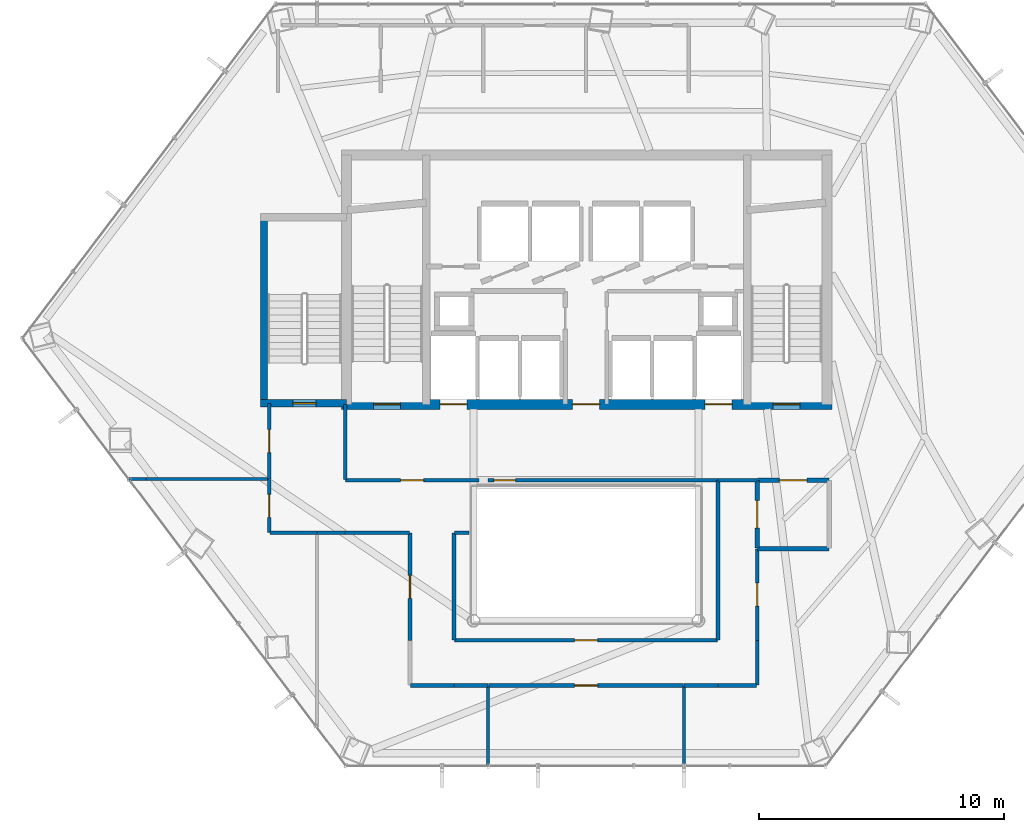
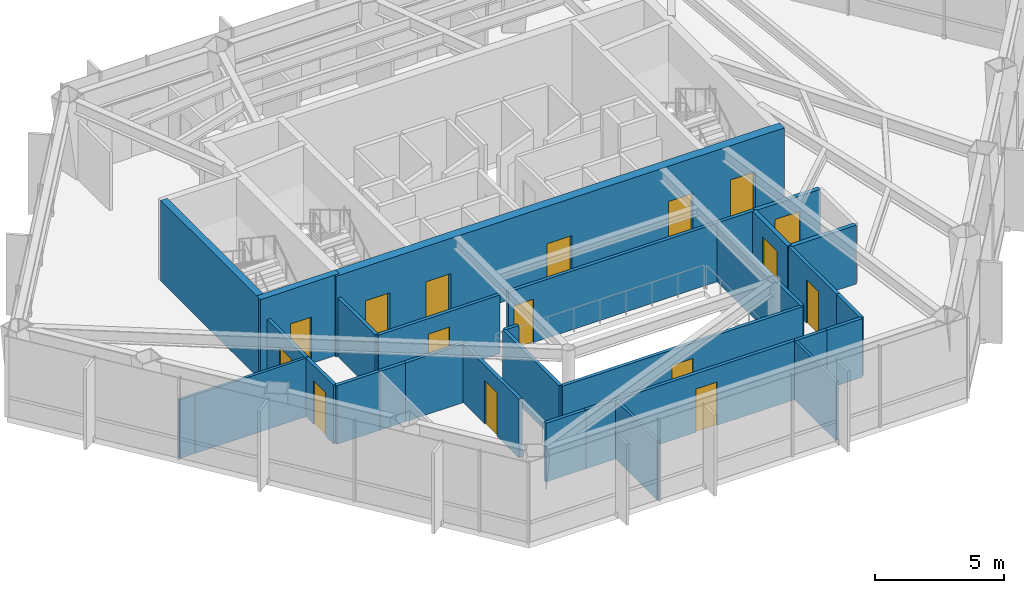
# One storey, part 23 of 26: 31 walls, 16 doors, 16 openings.
"""IFC4 building model written with IfcOpenShell, lengths in metres."""

from ifc_helpers import new_model, si_unit, direction, frame, frame_2d, origin, place, context, subcontext, project, spatial, rectangle, extrude, material, layer, layer_set, type_object, element, fill, save


model = new_model("IFC4")

# Units and contexts
model_context = context("Model", 3, precision=1e-05, world=origin(), true_north=direction((0.0, 1.0)))
body_context = subcontext(model_context, "Body", "Model", "MODEL_VIEW")
ifc_project = project(units=[si_unit("LENGTHUNIT", "METRE"), si_unit("AREAUNIT", "SQUARE_METRE"), si_unit("VOLUMEUNIT", "CUBIC_METRE"), si_unit("PLANEANGLEUNIT", "RADIAN"), si_unit("MASSUNIT", "GRAM", prefix="KILO")], contexts=[model_context])

# Site, building, storey
site_placement = place(None, origin())
site = spatial("IfcSite", under=ifc_project, at=site_placement, CompositionType="ELEMENT")
building_placement = place(site_placement, origin())
building = spatial("IfcBuilding", under=site, at=building_placement, Name="Zarrinselat Tower", CompositionType="ELEMENT")
storey_placement = place(building_placement, frame((0.0, 0.0, 92.820068359375)))
storey = spatial("IfcBuildingStorey", under=building, at=storey_placement, Name="L22", CompositionType="ELEMENT", Elevation=92.820068359375)

# Wall, opening, door
ifc_material_1 = material(Name="Concrete C40/50", Category="concrete")
ifc_layer_1 = layer(ifc_material_1, 0.18994140625)
ifc_layer_set_1 = layer_set([ifc_layer_1], Name="Concrete C40/50")
wall_type_1 = type_object("IfcWallType", Name="WAL-PART-EI120", PredefinedType="PARTITIONING", material=ifc_layer_set_1)
wall_1_placement = place(storey_placement, frame((45.405029296875, 30.14990234375, 0.0), z_axis=(0.0, 0.0, 1.0), x_axis=(1.0, 0.0, 0.0)))
wall_1 = element("IfcWall", 1, at=wall_1_placement, inside=storey, type_object=wall_type_1, Name="L22 Partition Wall 8", PredefinedType="PARTITIONING", context=body_context, shape_type="SweptSolid", body=[
    extrude(rectangle(XDim=2.925048828125, YDim=0.18994140625, at=frame_2d((1.46240234375, 0.0))), origin(), (0.0, 0.0, 1.0), 2.77685546875),
])
opening_1_placement = place(wall_1_placement, frame((0.902587890625, 0.0, 0.0)))
opening_1 = element("IfcOpeningElement", 2, at=opening_1_placement, cuts=wall_1, Name="Opening ID-02", PredefinedType="OPENING", context=body_context, shape_type="SweptSolid", body=[
    extrude(rectangle(XDim=1.1201171875, YDim=2.050048828125, at=frame_2d((0.56005859375, 1.02490234375))), frame((0.0, 0.10498046875, 0.0), z_axis=(0.0, -1.0, 0.0), x_axis=(1.0, 0.0, 0.0)), (0.0, 0.0, 1.0), 0.2099609375),
])
ifc_material_2 = material(Name="Steel S355J2", Category="steel")
door_type_1 = type_object("IfcDoorType", Name="DR-INT-FD60-W", OperationType="NOTDEFINED", PredefinedType="DOOR", material=ifc_material_2)
door_1_placement = place(opening_1_placement, origin())
door_1 = element("IfcDoor", 3, at=door_1_placement, inside=storey, type_object=door_type_1, Name="L22 Interior Door P8", OperationType="SINGLE_SWING_RIGHT", OverallHeight=2.050048828125, OverallWidth=1.1201171875, PredefinedType="DOOR", context=body_context, shape_type="SweptSolid", body=[
    extrude(rectangle(XDim=1.1201171875, YDim=2.050048828125, at=frame_2d((0.56005859375, 1.02490234375))), frame((0.0, 0.02490234375, 0.0), z_axis=(0.0, -1.0, 0.0), x_axis=(1.0, 0.0, 0.0)), (0.0, 0.0, 1.0), 0.050048828125),
])
fill(opening_1, door_1)

wall_2_placement = place(storey_placement, frame((45.39990234375, 27.3701171875, 0.0), z_axis=(0.0, 0.0, 1.0), x_axis=(0.0, 1.0, 0.0)))
wall_2 = element("IfcWall", 4, at=wall_2_placement, inside=storey, type_object=wall_type_1, Name="L22 Partition Wall 13", PredefinedType="PARTITIONING", context=body_context, shape_type="SweptSolid", body=[
    extrude(rectangle(XDim=2.759765625, YDim=0.18994140625, at=frame_2d((1.3798828125, 0.0))), origin(), (0.0, 0.0, 1.0), 2.77685546875),
])
opening_2_placement = place(wall_2_placement, frame((0.820068359375, 0.0, 0.0)))
opening_2 = element("IfcOpeningElement", 5, at=opening_2_placement, cuts=wall_2, Name="Opening ID-02", PredefinedType="OPENING", context=body_context, shape_type="SweptSolid", body=[
    extrude(rectangle(XDim=1.1201171875, YDim=2.050048828125, at=frame_2d((0.56005859375, 1.02490234375))), frame((0.0, 0.10498046875, 0.0), z_axis=(0.0, -1.0, 0.0), x_axis=(1.0, 0.0, 0.0)), (0.0, 0.0, 1.0), 0.2099609375),
])
door_2_placement = place(opening_2_placement, origin())
door_2 = element("IfcDoor", 6, at=door_2_placement, inside=storey, type_object=door_type_1, Name="L22 Interior Door P13", OperationType="SINGLE_SWING_LEFT", OverallHeight=2.050048828125, OverallWidth=1.1201171875, PredefinedType="DOOR", context=body_context, shape_type="SweptSolid", body=[
    extrude(rectangle(XDim=1.1201171875, YDim=2.050048828125, at=frame_2d((0.56005859375, 1.02490234375))), frame((0.0, 0.02490234375, 0.0), z_axis=(0.0, -1.0, 0.0), x_axis=(1.0, 0.0, 0.0)), (0.0, 0.0, 1.0), 0.050048828125),
])
fill(opening_2, door_2)

# Walls
wall_3_placement = place(storey_placement, frame((45.419921875, 27.35009765625, 0.0), z_axis=(0.0, 0.0, 1.0), x_axis=(1.0, 0.0, 0.0)))
element("IfcWall", 7, at=wall_3_placement, inside=storey, type_object=wall_type_1, Name="L22 Partition Wall 14", PredefinedType="PARTITIONING", context=body_context, shape_type="SweptSolid", body=[
    extrude(rectangle(XDim=2.91015625, YDim=0.18994140625, at=frame_2d((1.455078125, 0.0))), origin(), (0.0, 0.0, 1.0), 2.77685546875),
])
ifc_material_3 = material(Name="Fire-Rated Gypsum Board Partition", Category="gypsum")
ifc_layer_2 = layer(ifc_material_3, 0.14990234375)
ifc_layer_set_2 = layer_set([ifc_layer_2], Name="Fire-Rated Gypsum Board Partition")
wall_type_2 = type_object("IfcWallType", Name="WAL-PART-EI60", PredefinedType="PARTITIONING", material=ifc_layer_set_2)
wall_4_placement = place(storey_placement, frame((43.804931640625, 30.14990234375, 0.0), z_axis=(0.0, 0.0, 1.0), x_axis=(1.0, 0.0, 0.0)))
element("IfcWall", 8, at=wall_4_placement, inside=storey, type_object=wall_type_2, Name="L22 Partition Wall 9", PredefinedType="PARTITIONING", context=body_context, shape_type="SweptSolid", body=[
    extrude(rectangle(XDim=1.590087890625, YDim=0.14990234375, at=frame_2d((0.794921875, 0.0))), origin(), (0.0, 0.0, 1.0), 2.77685546875),
])

# Wall, opening, door
wall_5_placement = place(storey_placement, frame((28.570068359375, 30.14990234375, 0.0), z_axis=(0.0, 0.0, 1.0), x_axis=(1.0, 0.0, 0.0)))
wall_5 = element("IfcWall", 9, at=wall_5_placement, inside=storey, type_object=wall_type_2, Name="L22 Partition Wall 10", PredefinedType="PARTITIONING", context=body_context, shape_type="SweptSolid", body=[
    extrude(rectangle(XDim=5.44482421875, YDim=0.14990234375, at=frame_2d((2.722412109375, 0.0))), origin(), (0.0, 0.0, 1.0), 2.77685546875),
])
opening_3_placement = place(wall_5_placement, frame((2.25244140625, 0.0, 0.0)))
opening_3 = element("IfcOpeningElement", 10, at=opening_3_placement, cuts=wall_5, Name="Opening ID-04", PredefinedType="OPENING", context=body_context, shape_type="SweptSolid", body=[
    extrude(rectangle(XDim=0.93994140625, YDim=2.050048828125, at=frame_2d((0.469970703125, 1.02490234375))), frame((0.0, 0.0849609375, 0.0), z_axis=(0.0, -1.0, 0.0), x_axis=(1.0, 0.0, 0.0)), (0.0, 0.0, 1.0), 0.169921875),
])
ifc_material_4 = material(Name="Fire-Rated Gypsum Board Partition")
door_type_2 = type_object("IfcDoorType", Name="DR-INT-FD30-ENT", OperationType="NOTDEFINED", PredefinedType="DOOR", material=ifc_material_4)
door_3_placement = place(opening_3_placement, origin())
door_3 = element("IfcDoor", 11, at=door_3_placement, inside=storey, type_object=door_type_2, Name="L22 Interior Door P10", OperationType="SINGLE_SWING_LEFT", OverallHeight=2.050048828125, OverallWidth=0.93994140625, PredefinedType="DOOR", context=body_context, shape_type="SweptSolid", body=[
    extrude(rectangle(XDim=0.93994140625, YDim=2.050048828125, at=frame_2d((0.469970703125, 1.02490234375))), frame((0.0, 0.02490234375, 0.0), z_axis=(0.0, -1.0, 0.0), x_axis=(1.0, 0.0, 0.0)), (0.0, 0.0, 1.0), 0.050048828125),
])
fill(opening_3, door_3)

# Wall
wall_6_placement = place(storey_placement, frame((28.550048828125, 30.169921875, 0.0), z_axis=(0.0, 0.0, 1.0), x_axis=(0.0, 1.0, 0.0)))
element("IfcWall", 12, at=wall_6_placement, inside=storey, type_object=wall_type_2, Name="L22 Partition Wall 11", PredefinedType="PARTITIONING", context=body_context, shape_type="SweptSolid", body=[
    extrude(rectangle(XDim=3.065185546875, YDim=0.14990234375, at=frame_2d((1.53271484375, 0.0))), origin(), (0.0, 0.0, 1.0), 2.77685546875),
])

# Wall, opening, door
wall_7_placement = place(storey_placement, frame((34.385009765625, 30.14990234375, 0.0), z_axis=(0.0, 0.0, 1.0), x_axis=(1.0, 0.0, 0.0)))
wall_7 = element("IfcWall", 13, at=wall_7_placement, inside=storey, type_object=wall_type_2, Name="L22 Partition Wall 12", PredefinedType="PARTITIONING", context=body_context, shape_type="SweptSolid", body=[
    extrude(rectangle(XDim=9.409912109375, YDim=0.14990234375, at=frame_2d((4.705078125, 0.0))), origin(), (0.0, 0.0, 1.0), 2.77685546875),
])
opening_4_placement = place(wall_7_placement, frame((0.25, 0.0, 0.0)))
opening_4 = element("IfcOpeningElement", 14, at=opening_4_placement, cuts=wall_7, Name="Opening ID-03", PredefinedType="OPENING", context=body_context, shape_type="SweptSolid", body=[
    extrude(rectangle(XDim=0.8798828125, YDim=2.050048828125, at=frame_2d((0.43994140625, 1.02490234375))), frame((0.0, 0.0849609375, 0.0), z_axis=(0.0, -1.0, 0.0), x_axis=(1.0, 0.0, 0.0)), (0.0, 0.0, 1.0), 0.169921875),
])
ifc_material_5 = material(Name="Steel S355J2", Category="steel")
door_type_3 = type_object("IfcDoorType", Name="DR-INT-FD60-S", OperationType="NOTDEFINED", PredefinedType="DOOR", material=ifc_material_5)
door_4_placement = place(opening_4_placement, origin())
door_4 = element("IfcDoor", 15, at=door_4_placement, inside=storey, type_object=door_type_3, Name="L22 Interior Door P12", OperationType="SINGLE_SWING_RIGHT", OverallHeight=2.050048828125, OverallWidth=0.8798828125, PredefinedType="DOOR", context=body_context, shape_type="SweptSolid", body=[
    extrude(rectangle(XDim=0.8798828125, YDim=2.050048828125, at=frame_2d((0.43994140625, 1.02490234375))), frame((0.0, 0.02490234375, 0.0), z_axis=(0.0, -1.0, 0.0), x_axis=(1.0, 0.0, 0.0)), (0.0, 0.0, 1.0), 0.050048828125),
])
fill(opening_4, door_4)

wall_8_placement = place(storey_placement, frame((34.405029296875, 21.75, 0.0), z_axis=(0.0, 0.0, 1.0), x_axis=(1.0, 0.0, 0.0)))
wall_8 = element("IfcWall", 16, at=wall_8_placement, inside=storey, type_object=wall_type_2, Name="L22 Partition Wall 16", PredefinedType="PARTITIONING", context=body_context, shape_type="SweptSolid", body=[
    extrude(rectangle(XDim=7.989990234375, YDim=0.14990234375, at=frame_2d((3.9951171875, 0.0))), origin(), (0.0, 0.0, 1.0), 2.77685546875),
])
opening_5_placement = place(wall_8_placement, frame((3.52490234375, 0.0, 0.0)))
opening_5 = element("IfcOpeningElement", 17, at=opening_5_placement, cuts=wall_8, Name="Opening ID-04", PredefinedType="OPENING", context=body_context, shape_type="SweptSolid", body=[
    extrude(rectangle(XDim=0.93994140625, YDim=2.050048828125, at=frame_2d((0.469970703125, 1.02490234375))), frame((0.0, 0.0849609375, 0.0), z_axis=(0.0, -1.0, 0.0), x_axis=(1.0, 0.0, 0.0)), (0.0, 0.0, 1.0), 0.169921875),
])
door_5_placement = place(opening_5_placement, origin())
door_5 = element("IfcDoor", 18, at=door_5_placement, inside=storey, type_object=door_type_2, Name="L22 Interior Door P16", OperationType="SINGLE_SWING_RIGHT", OverallHeight=2.050048828125, OverallWidth=0.93994140625, PredefinedType="DOOR", context=body_context, shape_type="SweptSolid", body=[
    extrude(rectangle(XDim=0.93994140625, YDim=2.050048828125, at=frame_2d((0.469970703125, 1.02490234375))), frame((0.0, 0.02490234375, 0.0), z_axis=(0.0, -1.0, 0.0), x_axis=(1.0, 0.0, 0.0)), (0.0, 0.0, 1.0), 0.050048828125),
])
fill(opening_5, door_5)

# Walls
wall_9_placement = place(storey_placement, frame((33.0, 21.75, 0.0), z_axis=(0.0, 0.0, 1.0), x_axis=(1.0, 0.0, 0.0)))
element("IfcWall", 19, at=wall_9_placement, inside=storey, type_object=wall_type_2, Name="L22 Partition Wall 17", PredefinedType="PARTITIONING", context=body_context, shape_type="SweptSolid", body=[
    extrude(rectangle(XDim=1.39501953125, YDim=0.14990234375, at=frame_2d((0.697509765625, 0.0))), origin(), (0.0, 0.0, 1.0), 2.77685546875),
])
wall_10_placement = place(storey_placement, frame((31.219970703125, 21.75, 0.0), z_axis=(0.0, 0.0, 1.0), x_axis=(1.0, 0.0, 0.0)))
element("IfcWall", 20, at=wall_10_placement, inside=storey, type_object=wall_type_2, Name="L22 Partition Wall 18", PredefinedType="PARTITIONING", context=body_context, shape_type="SweptSolid", body=[
    extrude(rectangle(XDim=1.780029296875, YDim=0.14990234375, at=frame_2d((0.89013671875, 0.0))), origin(), (0.0, 0.0, 1.0), 2.77685546875),
])

# Wall, opening, door
wall_11_placement = place(storey_placement, frame((31.199951171875, 23.60009765625, 0.0), z_axis=(0.0, 0.0, 1.0), x_axis=(0.0, 1.0, 0.0)))
wall_11 = element("IfcWall", 21, at=wall_11_placement, inside=storey, type_object=wall_type_2, Name="L22 Partition Wall 20", PredefinedType="PARTITIONING", context=body_context, shape_type="SweptSolid", body=[
    extrude(rectangle(XDim=4.3798828125, YDim=0.14990234375, at=frame_2d((2.18994140625, 0.0))), origin(), (0.0, 0.0, 1.0), 2.77685546875),
])
opening_6_placement = place(wall_11_placement, frame((1.719970703125, 0.0, 0.0)))
opening_6 = element("IfcOpeningElement", 22, at=opening_6_placement, cuts=wall_11, Name="Opening ID-04", PredefinedType="OPENING", context=body_context, shape_type="SweptSolid", body=[
    extrude(rectangle(XDim=0.93994140625, YDim=2.050048828125, at=frame_2d((0.469970703125, 1.02490234375))), frame((0.0, 0.0849609375, 0.0), z_axis=(0.0, -1.0, 0.0), x_axis=(1.0, 0.0, 0.0)), (0.0, 0.0, 1.0), 0.169921875),
])
door_6_placement = place(opening_6_placement, origin())
door_6 = element("IfcDoor", 23, at=door_6_placement, inside=storey, type_object=door_type_2, Name="L22 Interior Door P20", OperationType="SINGLE_SWING_LEFT", OverallHeight=2.050048828125, OverallWidth=0.93994140625, PredefinedType="DOOR", context=body_context, shape_type="SweptSolid", body=[
    extrude(rectangle(XDim=0.93994140625, YDim=2.050048828125, at=frame_2d((0.469970703125, 1.02490234375))), frame((0.0, 0.02490234375, 0.0), z_axis=(0.0, -1.0, 0.0), x_axis=(1.0, 0.0, 0.0)), (0.0, 0.0, 1.0), 0.050048828125),
])
fill(opening_6, door_6)

# Walls
wall_12_placement = place(storey_placement, frame((28.550048828125, 28.0, 0.0), z_axis=(0.0, 0.0, 1.0), x_axis=(1.0, 0.0, 0.0)))
element("IfcWall", 24, at=wall_12_placement, inside=storey, type_object=wall_type_2, Name="L22 Partition Wall 21", PredefinedType="PARTITIONING", context=body_context, shape_type="SweptSolid", body=[
    extrude(rectangle(XDim=2.6298828125, YDim=0.14990234375, at=frame_2d((1.31494140625, 0.0))), origin(), (0.0, 0.0, 1.0), 2.77685546875),
])
wall_13_placement = place(storey_placement, frame((27.405029296875, 28.0, 0.0), z_axis=(0.0, 0.0, 1.0), x_axis=(1.0, 0.0, 0.0)))
element("IfcWall", 25, at=wall_13_placement, inside=storey, type_object=wall_type_2, Name="L22 Partition Wall 22", PredefinedType="PARTITIONING", context=body_context, shape_type="SweptSolid", body=[
    extrude(rectangle(XDim=1.14501953125, YDim=0.14990234375, at=frame_2d((0.572509765625, 0.0))), origin(), (0.0, 0.0, 1.0), 2.77685546875),
])

# Wall, opening, door
wall_14_placement = place(storey_placement, frame((45.39990234375, 23.60009765625, 0.0), z_axis=(0.0, 0.0, 1.0), x_axis=(0.0, 1.0, 0.0)))
wall_14 = element("IfcWall", 26, at=wall_14_placement, inside=storey, type_object=wall_type_2, Name="L22 Partition Wall 23", PredefinedType="PARTITIONING", context=body_context, shape_type="SweptSolid", body=[
    extrude(rectangle(XDim=3.72998046875, YDim=0.14990234375, at=frame_2d((1.864990234375, 0.0))), origin(), (0.0, 0.0, 1.0), 2.77685546875),
])
opening_7_placement = place(wall_14_placement, frame((1.39501953125, 0.0, 0.0)))
opening_7 = element("IfcOpeningElement", 27, at=opening_7_placement, cuts=wall_14, Name="Opening ID-04", PredefinedType="OPENING", context=body_context, shape_type="SweptSolid", body=[
    extrude(rectangle(XDim=0.93994140625, YDim=2.050048828125, at=frame_2d((0.469970703125, 1.02490234375))), frame((0.0, 0.0849609375, 0.0), z_axis=(0.0, -1.0, 0.0), x_axis=(1.0, 0.0, 0.0)), (0.0, 0.0, 1.0), 0.169921875),
])
door_7_placement = place(opening_7_placement, origin())
door_7 = element("IfcDoor", 28, at=door_7_placement, inside=storey, type_object=door_type_2, Name="L22 Interior Door P23", OperationType="SINGLE_SWING_RIGHT", OverallHeight=2.050048828125, OverallWidth=0.93994140625, PredefinedType="DOOR", context=body_context, shape_type="SweptSolid", body=[
    extrude(rectangle(XDim=0.93994140625, YDim=2.050048828125, at=frame_2d((0.469970703125, 1.02490234375))), frame((0.0, 0.02490234375, 0.0), z_axis=(0.0, -1.0, 0.0), x_axis=(1.0, 0.0, 0.0)), (0.0, 0.0, 1.0), 0.050048828125),
])
fill(opening_7, door_7)

# Walls
wall_15_placement = place(storey_placement, frame((45.39990234375, 21.77001953125, 0.0), z_axis=(0.0, 0.0, 1.0), x_axis=(0.0, 1.0, 0.0)))
element("IfcWall", 29, at=wall_15_placement, inside=storey, type_object=wall_type_2, Name="L22 Partition Wall 24", PredefinedType="PARTITIONING", context=body_context, shape_type="SweptSolid", body=[
    extrude(rectangle(XDim=1.830078125, YDim=0.14990234375, at=frame_2d((0.9150390625, 0.0))), origin(), (0.0, 0.0, 1.0), 2.77685546875),
])
wall_16_placement = place(storey_placement, frame((43.800048828125, 21.75, 0.0), z_axis=(0.0, 0.0, 1.0), x_axis=(1.0, 0.0, 0.0)))
element("IfcWall", 30, at=wall_16_placement, inside=storey, type_object=wall_type_2, Name="L22 Partition Wall 25", PredefinedType="PARTITIONING", context=body_context, shape_type="SweptSolid", body=[
    extrude(rectangle(XDim=1.579833984375, YDim=0.14990234375, at=frame_2d((0.7900390625, 0.0))), origin(), (0.0, 0.0, 1.0), 2.77685546875),
])
wall_17_placement = place(storey_placement, frame((42.405029296875, 21.75, 0.0), z_axis=(0.0, 0.0, 1.0), x_axis=(1.0, 0.0, 0.0)))
element("IfcWall", 31, at=wall_17_placement, inside=storey, type_object=wall_type_2, Name="L22 Partition Wall 26", PredefinedType="PARTITIONING", context=body_context, shape_type="SweptSolid", body=[
    extrude(rectangle(XDim=1.39501953125, YDim=0.14990234375, at=frame_2d((0.697509765625, 0.0))), origin(), (0.0, 0.0, 1.0), 2.77685546875),
])
wall_18_placement = place(storey_placement, frame((25.469970703125, 28.0, 0.0), z_axis=(0.0, 0.0, 1.0), x_axis=(1.0, 0.0, 0.0)))
element("IfcWall", 32, at=wall_18_placement, inside=storey, type_object=wall_type_2, Name="L22 Partition Wall 27", PredefinedType="PARTITIONING", context=body_context, shape_type="SweptSolid", body=[
    extrude(rectangle(XDim=1.925048828125, YDim=0.14990234375, at=frame_2d((0.96240234375, 0.0))), origin(), (0.0, 0.0, 1.0), 2.77685546875),
])

# Wall, opening, door
wall_19_placement = place(storey_placement, frame((25.449951171875, 28.02001953125, 0.0), z_axis=(0.0, 0.0, 1.0), x_axis=(0.0, 1.0, 0.0)))
wall_19 = element("IfcWall", 33, at=wall_19_placement, inside=storey, type_object=wall_type_2, Name="L22 Partition Wall 28", PredefinedType="PARTITIONING", context=body_context, shape_type="SweptSolid", body=[
    extrude(rectangle(XDim=2.1650390625, YDim=0.14990234375, at=frame_2d((1.08251953125, 0.0))), origin(), (0.0, 0.0, 1.0), 2.77685546875),
])
opening_8_placement = place(wall_19_placement, frame((0.612548828125, 0.0, 0.0)))
opening_8 = element("IfcOpeningElement", 34, at=opening_8_placement, cuts=wall_19, Name="Opening ID-04", PredefinedType="OPENING", context=body_context, shape_type="SweptSolid", body=[
    extrude(rectangle(XDim=0.93994140625, YDim=2.050048828125, at=frame_2d((0.469970703125, 1.02490234375))), frame((0.0, 0.0849609375, 0.0), z_axis=(0.0, -1.0, 0.0), x_axis=(1.0, 0.0, 0.0)), (0.0, 0.0, 1.0), 0.169921875),
])
door_8_placement = place(opening_8_placement, origin())
door_8 = element("IfcDoor", 35, at=door_8_placement, inside=storey, type_object=door_type_2, Name="L22 Interior Door P28", OperationType="SINGLE_SWING_LEFT", OverallHeight=2.050048828125, OverallWidth=0.93994140625, PredefinedType="DOOR", context=body_context, shape_type="SweptSolid", body=[
    extrude(rectangle(XDim=0.93994140625, YDim=2.050048828125, at=frame_2d((0.469970703125, 1.02490234375))), frame((0.0, 0.02490234375, 0.0), z_axis=(0.0, -1.0, 0.0), x_axis=(1.0, 0.0, 0.0)), (0.0, 0.0, 1.0), 0.050048828125),
])
fill(opening_8, door_8)

wall_20_placement = place(storey_placement, frame((25.449951171875, 30.205078125, 0.0), z_axis=(0.0, 0.0, 1.0), x_axis=(0.0, 1.0, 0.0)))
wall_20 = element("IfcWall", 36, at=wall_20_placement, inside=storey, type_object=wall_type_2, Name="L22 Partition Wall 29", PredefinedType="PARTITIONING", context=body_context, shape_type="SweptSolid", body=[
    extrude(rectangle(XDim=3.079833984375, YDim=0.14990234375, at=frame_2d((1.5400390625, 0.0))), origin(), (0.0, 0.0, 1.0), 2.77685546875),
])
opening_9_placement = place(wall_20_placement, frame((1.070068359375, 0.0, 0.0)))
opening_9 = element("IfcOpeningElement", 37, at=opening_9_placement, cuts=wall_20, Name="Opening ID-04", PredefinedType="OPENING", context=body_context, shape_type="SweptSolid", body=[
    extrude(rectangle(XDim=0.93994140625, YDim=2.050048828125, at=frame_2d((0.469970703125, 1.02490234375))), frame((0.0, 0.0849609375, 0.0), z_axis=(0.0, -1.0, 0.0), x_axis=(1.0, 0.0, 0.0)), (0.0, 0.0, 1.0), 0.169921875),
])
door_9_placement = place(opening_9_placement, origin())
door_9 = element("IfcDoor", 38, at=door_9_placement, inside=storey, type_object=door_type_2, Name="L22 Interior Door P29", OperationType="SINGLE_SWING_RIGHT", OverallHeight=2.050048828125, OverallWidth=0.93994140625, PredefinedType="DOOR", context=body_context, shape_type="SweptSolid", body=[
    extrude(rectangle(XDim=0.93994140625, YDim=2.050048828125, at=frame_2d((0.469970703125, 1.02490234375))), frame((0.0, 0.02490234375, 0.0), z_axis=(0.0, -1.0, 0.0), x_axis=(1.0, 0.0, 0.0)), (0.0, 0.0, 1.0), 0.050048828125),
])
fill(opening_9, door_9)

# Walls
wall_21_placement = place(storey_placement, frame((33.02001953125, 28.0, 0.0), z_axis=(0.0, 0.0, 1.0), x_axis=(1.0, 0.0, 0.0)))
element("IfcWall", 39, at=wall_21_placement, inside=storey, type_object=wall_type_2, Name="L22 Partition Wall 30", PredefinedType="PARTITIONING", context=body_context, shape_type="SweptSolid", body=[
    extrude(rectangle(XDim=0.60009765625, YDim=0.14990234375, at=frame_2d((0.300048828125, 0.0))), origin(), (0.0, 0.0, 1.0), 2.77685546875),
])
wall_22_placement = place(storey_placement, frame((33.0, 23.6201171875, 0.0), z_axis=(0.0, 0.0, 1.0), x_axis=(0.0, 1.0, 0.0)))
element("IfcWall", 40, at=wall_22_placement, inside=storey, type_object=wall_type_2, Name="L22 Partition Wall 31", PredefinedType="PARTITIONING", context=body_context, shape_type="SweptSolid", body=[
    extrude(rectangle(XDim=4.35986328125, YDim=0.14990234375, at=frame_2d((2.179931640625, 0.0))), origin(), (0.0, 0.0, 1.0), 2.77685546875),
])

# Wall, opening, door
wall_23_placement = place(storey_placement, frame((33.02001953125, 23.60009765625, 0.0), z_axis=(0.0, 0.0, 1.0), x_axis=(1.0, 0.0, 0.0)))
wall_23 = element("IfcWall", 41, at=wall_23_placement, inside=storey, type_object=wall_type_2, Name="L22 Partition Wall 32", PredefinedType="PARTITIONING", context=body_context, shape_type="SweptSolid", body=[
    extrude(rectangle(XDim=10.760009765625, YDim=0.14990234375, at=frame_2d((5.3798828125, 0.0))), origin(), (0.0, 0.0, 1.0), 2.77685546875),
])
opening_10_placement = place(wall_23_placement, frame((4.909912109375, 0.0, 0.0)))
opening_10 = element("IfcOpeningElement", 42, at=opening_10_placement, cuts=wall_23, Name="Opening ID-04", PredefinedType="OPENING", context=body_context, shape_type="SweptSolid", body=[
    extrude(rectangle(XDim=0.93994140625, YDim=2.050048828125, at=frame_2d((0.469970703125, 1.02490234375))), frame((0.0, 0.0849609375, 0.0), z_axis=(0.0, -1.0, 0.0), x_axis=(1.0, 0.0, 0.0)), (0.0, 0.0, 1.0), 0.169921875),
])
door_10_placement = place(opening_10_placement, origin())
door_10 = element("IfcDoor", 43, at=door_10_placement, inside=storey, type_object=door_type_2, Name="L22 Interior Door P32", OperationType="SINGLE_SWING_LEFT", OverallHeight=2.050048828125, OverallWidth=0.93994140625, PredefinedType="DOOR", context=body_context, shape_type="SweptSolid", body=[
    extrude(rectangle(XDim=0.93994140625, YDim=2.050048828125, at=frame_2d((0.469970703125, 1.02490234375))), frame((0.0, 0.02490234375, 0.0), z_axis=(0.0, -1.0, 0.0), x_axis=(1.0, 0.0, 0.0)), (0.0, 0.0, 1.0), 0.050048828125),
])
fill(opening_10, door_10)

# Walls
wall_24_placement = place(storey_placement, frame((43.800048828125, 23.6201171875, 0.0), z_axis=(0.0, 0.0, 1.0), x_axis=(0.0, 1.0, 0.0)))
element("IfcWall", 44, at=wall_24_placement, inside=storey, type_object=wall_type_2, Name="L22 Partition Wall 33", PredefinedType="PARTITIONING", context=body_context, shape_type="SweptSolid", body=[
    extrude(rectangle(XDim=6.509765625, YDim=0.14990234375, at=frame_2d((3.2548828125, 0.0))), origin(), (0.0, 0.0, 1.0), 2.77685546875),
])
ifc_material_6 = material(Name="Fire-Rated Gypsum Board Partition", Category="gypsum")
ifc_layer_3 = layer(ifc_material_6, 0.1201171875)
ifc_layer_set_3 = layer_set([ifc_layer_3], Name="Fire-Rated Gypsum Board Partition")
wall_type_3 = type_object("IfcWallType", Name="WAL-PART-STD", PredefinedType="PARTITIONING", material=ifc_layer_set_3)
for number, where, z_axis, x_axis, name in (
    (45, (34.39990234375, 18.47509765625, 0.0), (0.0, 0.0, 1.0), (0.0, 1.0, 0.0), "L22 Partition Wall 44"),
    (46, (42.39990234375, 18.47509765625, 0.0), (0.0, 0.0, 1.0), (0.0, 1.0, 0.0), "L22 Partition Wall 45"),
):
    element("IfcWall", number, at=place(storey_placement, frame(where, z_axis=z_axis, x_axis=x_axis)), inside=storey, type_object=wall_type_3, Name=name, PredefinedType="PARTITIONING", context=body_context, shape_type="SweptSolid", body=[
        extrude(rectangle(XDim=3.2548828125, YDim=0.1201171875, at=frame_2d((1.62744140625, 0.0))), origin(), (0.0, 0.0, 1.0), 2.77685546875),
    ])
wall_25_placement = place(storey_placement, frame((19.715576171875, 30.199951171875, 0.0), z_axis=(0.0, 0.0, 1.0), x_axis=(1.0, 0.0, 0.0)))
element("IfcWall", 47, at=wall_25_placement, inside=storey, type_object=wall_type_3, Name="L22 Partition Wall 48", PredefinedType="PARTITIONING", context=body_context, shape_type="SweptSolid", body=[
    extrude(rectangle(XDim=0.684326171875, YDim=0.1201171875, at=frame_2d((0.34228515625, 0.0))), origin(), (0.0, 0.0, 1.0), 2.77685546875),
])
wall_26_placement = place(storey_placement, frame((20.39990234375, 30.199951171875, 0.0), z_axis=(0.0, 0.0, 1.0), x_axis=(1.0, 0.0, 0.0)))
element("IfcWall", 48, at=wall_26_placement, inside=storey, type_object=wall_type_3, Name="L22 Partition Wall 49", PredefinedType="PARTITIONING", context=body_context, shape_type="SweptSolid", body=[
    extrude(rectangle(XDim=5.030029296875, YDim=0.1201171875, at=frame_2d((2.51513671875, 0.0))), origin(), (0.0, 0.0, 1.0), 2.77685546875),
])

# Wall, opening, door
ifc_material_7 = material(Name="Concrete C40/50", Category="concrete")
ifc_layer_4 = layer(ifc_material_7, 0.300048828125)
ifc_layer_set_4 = layer_set([ifc_layer_4], Name="Concrete C40/50")
wall_type_4 = type_object("IfcWallType", Name="WAL-SHEAR-300", PredefinedType="SHEAR", material=ifc_layer_set_4)
wall_27_placement = place(storey_placement, frame((25.080078125, 33.300048828125, 0.0), z_axis=(0.0, 0.0, 1.0), x_axis=(1.0, 0.0, 0.0)))
wall_27 = element("IfcWall", 49, at=wall_27_placement, inside=storey, type_object=wall_type_4, Name="L22 Stair 3 South Shear Wall", PredefinedType="SHEAR", context=body_context, shape_type="SweptSolid", body=[
    extrude(rectangle(XDim=3.52001953125, YDim=0.300048828125, at=frame_2d((1.760009765625, 0.0))), origin(), (0.0, 0.0, 1.0), 3.81982421875),
])
opening_11_placement = place(wall_27_placement, frame((1.3349609375, 0.0, 0.0)))
opening_11 = element("IfcOpeningElement", 50, at=opening_11_placement, cuts=wall_27, Name="Opening SD-02", PredefinedType="OPENING", context=body_context, shape_type="SweptSolid", body=[
    extrude(rectangle(XDim=0.949951171875, YDim=2.199951171875, at=frame_2d((0.47509765625, 1.10009765625))), frame((0.0, 0.159912109375, 0.0), z_axis=(0.0, -1.0, 0.0), x_axis=(1.0, 0.0, 0.0)), (0.0, 0.0, 1.0), 0.320068359375),
])
ifc_material_8 = material(Name="Steel S355J2", Category="steel")
door_type_4 = type_object("IfcDoorType", Name="DR-STAIR-1050", OperationType="NOTDEFINED", PredefinedType="DOOR", material=ifc_material_8)
door_11_placement = place(opening_11_placement, origin())
door_11 = element("IfcDoor", 51, at=door_11_placement, inside=storey, type_object=door_type_4, Name="L22 Exit Stair 3 Fire Door", OperationType="SINGLE_SWING_LEFT", OverallHeight=2.199951171875, OverallWidth=0.949951171875, PredefinedType="DOOR", context=body_context, shape_type="SweptSolid", body=[
    extrude(rectangle(XDim=0.949951171875, YDim=2.199951171875, at=frame_2d((0.47509765625, 1.10009765625))), frame((0.0, 0.02490234375, 0.0), z_axis=(0.0, -1.0, 0.0), x_axis=(1.0, 0.0, 0.0)), (0.0, 0.0, 1.0), 0.050048828125),
])
fill(opening_11, door_11)

# Wall
wall_28_placement = place(storey_placement, frame((25.22998046875, 33.300048828125, 0.0), z_axis=(0.0, 0.0, 1.0), x_axis=(0.0, 1.0, 0.0)))
element("IfcWall", 52, at=wall_28_placement, inside=storey, type_object=wall_type_4, Name="L22 Stair 3 West Shear Wall", PredefinedType="SHEAR", context=body_context, shape_type="SweptSolid", body=[
    extrude(rectangle(XDim=7.599853515625, YDim=0.300048828125, at=frame_2d((3.7998046875, 0.0))), origin(), (0.0, 0.0, 1.0), 3.81982421875),
])

# Wall, openings, doors
ifc_material_9 = material(Name="Concrete C60/75", Category="concrete")
ifc_layer_5 = layer(ifc_material_9, 0.39990234375)
ifc_layer_set_5 = layer_set([ifc_layer_5], Name="Concrete C60/75")
wall_type_5 = type_object("IfcWallType", Name="WAL-SHEAR-400", PredefinedType="SHEAR", material=ifc_layer_set_5)
wall_29_placement = place(storey_placement, frame((28.39990234375, 33.25, 0.0), z_axis=(0.0, 0.0, 1.0), x_axis=(1.0, 0.0, 0.0)))
wall_29 = element("IfcWall", 53, at=wall_29_placement, inside=storey, type_object=wall_type_5, Name="L22 South Core Shear Wall", PredefinedType="SHEAR", context=body_context, shape_type="SweptSolid", body=[
    extrude(rectangle(XDim=20.06005859375, YDim=0.39990234375, at=frame_2d((10.030029296875, 0.0))), origin(), (0.0, 0.0, 1.0), 3.81982421875),
])
opening_12_placement = place(wall_29_placement, frame((4.030029296875, 0.0, 0.0)))
opening_12 = element("IfcOpeningElement", 54, at=opening_12_placement, cuts=wall_29, Name="Opening LD-FFL1", PredefinedType="OPENING", context=body_context, shape_type="SweptSolid", body=[
    extrude(rectangle(XDim=1.10009765625, YDim=2.14990234375, at=frame_2d((0.550048828125, 1.074951171875))), frame((0.0, 0.2099609375, 0.0), z_axis=(0.0, -1.0, 0.0), x_axis=(1.0, 0.0, 0.0)), (0.0, 0.0, 1.0), 0.419921875),
])
opening_13_placement = place(wall_29_placement, frame((14.8701171875, 0.0, 0.0)))
opening_13 = element("IfcOpeningElement", 55, at=opening_13_placement, cuts=wall_29, Name="Opening LD-FFL2", PredefinedType="OPENING", context=body_context, shape_type="SweptSolid", body=[
    extrude(rectangle(XDim=1.10009765625, YDim=2.14990234375, at=frame_2d((0.550048828125, 1.074951171875))), frame((0.0, 0.2099609375, 0.0), z_axis=(0.0, -1.0, 0.0), x_axis=(1.0, 0.0, 0.0)), (0.0, 0.0, 1.0), 0.419921875),
])
opening_14_placement = place(wall_29_placement, frame((1.31005859375, 0.0, 0.0)))
opening_14 = element("IfcOpeningElement", 56, at=opening_14_placement, cuts=wall_29, Name="Opening SD-01", PredefinedType="OPENING", context=body_context, shape_type="SweptSolid", body=[
    extrude(rectangle(XDim=1.10009765625, YDim=2.199951171875, at=frame_2d((0.550048828125, 1.10009765625))), frame((0.0, 0.2099609375, 0.0), z_axis=(0.0, -1.0, 0.0), x_axis=(1.0, 0.0, 0.0)), (0.0, 0.0, 1.0), 0.419921875),
])
opening_15_placement = place(wall_29_placement, frame((9.43994140625, 0.0, 0.0)))
opening_15 = element("IfcOpeningElement", 57, at=opening_15_placement, cuts=wall_29, Name="Opening ID-02", PredefinedType="OPENING", context=body_context, shape_type="SweptSolid", body=[
    extrude(rectangle(XDim=1.1201171875, YDim=2.050048828125, at=frame_2d((0.56005859375, 1.02490234375))), frame((0.0, 0.2099609375, 0.0), z_axis=(0.0, -1.0, 0.0), x_axis=(1.0, 0.0, 0.0)), (0.0, 0.0, 1.0), 0.419921875),
])
opening_16_placement = place(wall_29_placement, frame((17.64990234375, 0.0, 0.0)))
opening_16 = element("IfcOpeningElement", 58, at=opening_16_placement, cuts=wall_29, Name="Opening SD-01", PredefinedType="OPENING", context=body_context, shape_type="SweptSolid", body=[
    extrude(rectangle(XDim=1.10009765625, YDim=2.199951171875, at=frame_2d((0.550048828125, 1.10009765625))), frame((0.0, 0.2099609375, 0.0), z_axis=(0.0, -1.0, 0.0), x_axis=(1.0, 0.0, 0.0)), (0.0, 0.0, 1.0), 0.419921875),
])
door_12_placement = place(opening_15_placement, origin())
door_12 = element("IfcDoor", 59, at=door_12_placement, inside=storey, type_object=door_type_1, Name="L22 Core Service Vestibule Fire Door", OperationType="SINGLE_SWING_RIGHT", OverallHeight=2.050048828125, OverallWidth=1.1201171875, PredefinedType="DOOR", context=body_context, shape_type="SweptSolid", body=[
    extrude(rectangle(XDim=1.1201171875, YDim=2.050048828125, at=frame_2d((0.56005859375, 1.02490234375))), frame((0.0, 0.02490234375, 0.0), z_axis=(0.0, -1.0, 0.0), x_axis=(1.0, 0.0, 0.0)), (0.0, 0.0, 1.0), 0.050048828125),
])
fill(opening_15, door_12)
ifc_material_10 = material(Name="Steel S355J2", Category="steel")
door_type_5 = type_object("IfcDoorType", Name="DR-LIFT-FF-1100", OperationType="NOTDEFINED", PredefinedType="DOOR", material=ifc_material_10)
door_13_placement = place(opening_12_placement, origin())
door_13 = element("IfcDoor", 60, at=door_13_placement, inside=storey, type_object=door_type_5, Name="L22 Lift FFL1 Sliding Landing Door", OperationType="SLIDING_TO_LEFT", OverallHeight=2.14990234375, OverallWidth=1.10009765625, PredefinedType="DOOR", context=body_context, shape_type="SweptSolid", body=[
    extrude(rectangle(XDim=1.10009765625, YDim=2.14990234375, at=frame_2d((0.550048828125, 1.074951171875))), frame((0.0, 0.02490234375, 0.0), z_axis=(0.0, -1.0, 0.0), x_axis=(1.0, 0.0, 0.0)), (0.0, 0.0, 1.0), 0.050048828125),
])
fill(opening_12, door_13)
door_14_placement = place(opening_13_placement, origin())
door_14 = element("IfcDoor", 61, at=door_14_placement, inside=storey, type_object=door_type_5, Name="L22 Lift FFL2 Sliding Landing Door", OperationType="SLIDING_TO_RIGHT", OverallHeight=2.14990234375, OverallWidth=1.10009765625, PredefinedType="DOOR", context=body_context, shape_type="SweptSolid", body=[
    extrude(rectangle(XDim=1.10009765625, YDim=2.14990234375, at=frame_2d((0.550048828125, 1.074951171875))), frame((0.0, 0.02490234375, 0.0), z_axis=(0.0, -1.0, 0.0), x_axis=(1.0, 0.0, 0.0)), (0.0, 0.0, 1.0), 0.050048828125),
])
fill(opening_13, door_14)
ifc_material_11 = material(Name="Steel S355J2", Category="steel")
door_type_6 = type_object("IfcDoorType", Name="DR-STAIR-1100", OperationType="NOTDEFINED", PredefinedType="DOOR", material=ifc_material_11)
door_15_placement = place(opening_14_placement, origin())
door_15 = element("IfcDoor", 62, at=door_15_placement, inside=storey, type_object=door_type_6, Name="L22 Exit Stair 1 Fire Door", OperationType="SINGLE_SWING_LEFT", OverallHeight=2.199951171875, OverallWidth=1.10009765625, PredefinedType="DOOR", context=body_context, shape_type="SweptSolid", body=[
    extrude(rectangle(XDim=1.10009765625, YDim=2.199951171875, at=frame_2d((0.550048828125, 1.10009765625))), frame((0.0, 0.02490234375, 0.0), z_axis=(0.0, -1.0, 0.0), x_axis=(1.0, 0.0, 0.0)), (0.0, 0.0, 1.0), 0.050048828125),
])
fill(opening_14, door_15)
door_16_placement = place(opening_16_placement, origin())
door_16 = element("IfcDoor", 63, at=door_16_placement, inside=storey, type_object=door_type_6, Name="L22 Exit Stair 2 Fire Door", OperationType="SINGLE_SWING_RIGHT", OverallHeight=2.199951171875, OverallWidth=1.10009765625, PredefinedType="DOOR", context=body_context, shape_type="SweptSolid", body=[
    extrude(rectangle(XDim=1.10009765625, YDim=2.199951171875, at=frame_2d((0.550048828125, 1.10009765625))), frame((0.0, 0.02490234375, 0.0), z_axis=(0.0, -1.0, 0.0), x_axis=(1.0, 0.0, 0.0)), (0.0, 0.0, 1.0), 0.050048828125),
])
fill(opening_16, door_16)

save(model, "model.ifc")
